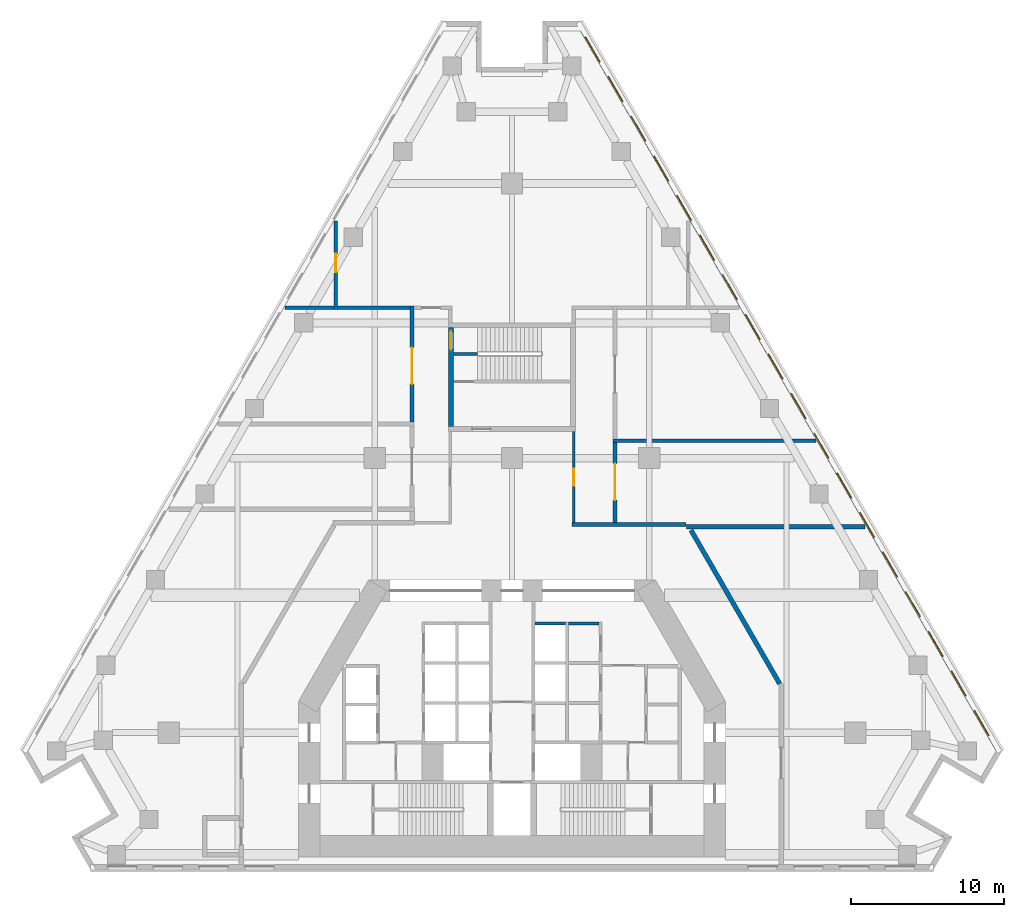
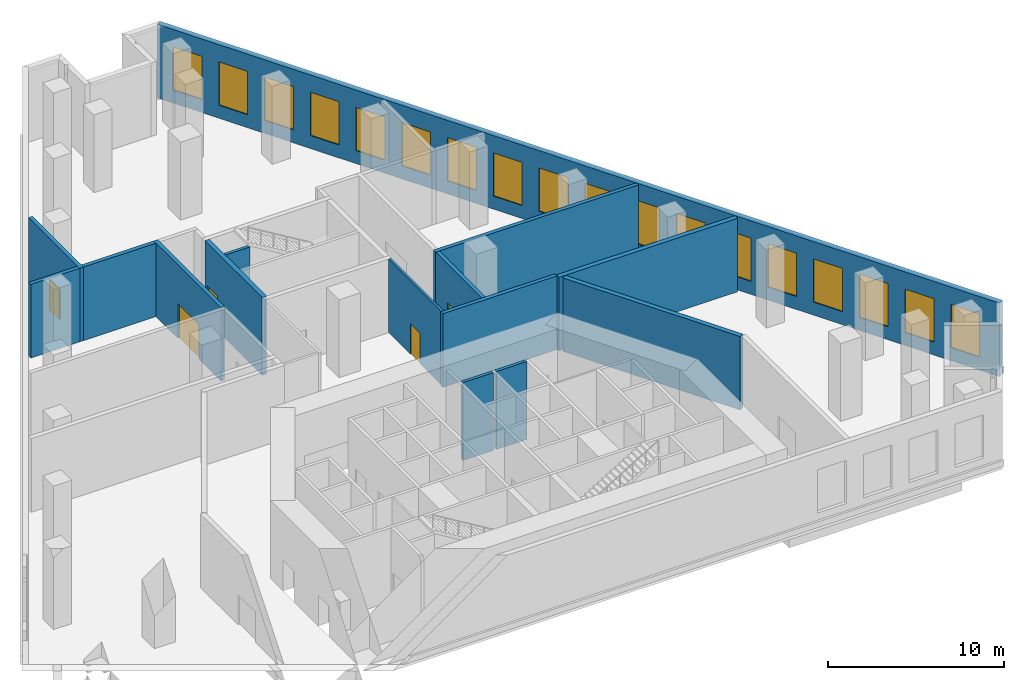
# One storey, part 8 of 10: 18 windows, 15 walls, 5 doors, 23 openings.
"""IFC4 building model written with IfcOpenShell, lengths in metres."""

from ifc_helpers import new_model, si_unit, direction, frame, frame_2d, origin, place, context, subcontext, project, spatial, rectangle, extrude, material, layer, layer_set, type_object, element, fill, save


model = new_model("IFC4")

# Units and contexts
model_context = context("Model", 3, precision=1e-05, world=origin(), true_north=direction((0.0, 1.0)))
body_context = subcontext(model_context, "Body", "Model", "MODEL_VIEW")
ifc_project = project(units=[si_unit("LENGTHUNIT", "METRE"), si_unit("AREAUNIT", "SQUARE_METRE"), si_unit("VOLUMEUNIT", "CUBIC_METRE"), si_unit("PLANEANGLEUNIT", "RADIAN"), si_unit("MASSUNIT", "GRAM", prefix="KILO")], contexts=[model_context])

# Site, building, storey
site_placement = place(None, origin())
site = spatial("IfcSite", under=ifc_project, at=site_placement, CompositionType="ELEMENT")
building_placement = place(site_placement, origin())
building = spatial("IfcBuilding", under=site, at=building_placement, Name="Fogline Exchange Tower", CompositionType="ELEMENT")
storey_placement = place(building_placement, frame((0.0, 0.0, 47.5)))
storey = spatial("IfcBuildingStorey", under=building, at=storey_placement, Name="L09", CompositionType="ELEMENT", Elevation=47.5)

# Walls
ifc_material_1 = material(Name="Concrete C40", Category="concrete")
ifc_layer_1 = layer(ifc_material_1, 0.199951171875)
ifc_layer_set_1 = layer_set([ifc_layer_1], Name="CW20B")
wall_type_1 = type_object("IfcWallType", Name="CW20B", PredefinedType="SOLIDWALL", material=ifc_layer_set_1)
wall_1_placement = place(storey_placement, frame((-3.85009765625, 33.83203125, 0.0), z_axis=(0.0, 0.0, 1.0), x_axis=(1.0, 0.0, 0.0)))
element("IfcWall", 1, at=wall_1_placement, inside=storey, type_object=wall_type_1, Name="Stair separation wall ST3", PredefinedType="SOLIDWALL", context=body_context, shape_type="SweptSolid", body=[
    extrude(rectangle(XDim=1.60009765625, YDim=0.199951171875, at=frame_2d((0.800048828125, 0.0))), origin(), (0.0, 0.0, 1.0), 5.10009765625),
])
ifc_layer_2 = layer(ifc_material_1, 0.199951171875)
ifc_layer_set_2 = layer_set([ifc_layer_2], Name="CW20S")
wall_type_2 = type_object("IfcWallType", Name="CW20S", PredefinedType="SOLIDWALL", material=ifc_layer_set_2)
for number, where, z_axis, x_axis, name in (
    (2, (3.699951171875, 16.14990234375, -0.300048828125), (0.0, 0.0, 1.0), (1.0, 0.0, 0.0), "Lift shaft wall"),
    (3, (1.5, 16.14990234375, -0.300048828125), (0.0, 0.0, 1.0), (1.0, 0.0, 0.0), "Lift shaft wall"),
):
    element("IfcWall", number, at=place(storey_placement, frame(where, z_axis=z_axis, x_axis=x_axis)), inside=storey, type_object=wall_type_2, Name=name, PredefinedType="SOLIDWALL", context=body_context, shape_type="SweptSolid", body=[
        extrude(rectangle(XDim=2.0, YDim=0.199951171875, at=frame_2d((1.0, 0.0))), origin(), (0.0, 0.0, 1.0), 5.400146484375),
    ])

# Wall, opening, door
ifc_layer_3 = layer(ifc_material_1, 0.300048828125)
ifc_layer_set_3 = layer_set([ifc_layer_3], Name="CW30")
wall_type_3 = type_object("IfcWallType", Name="CW30", PredefinedType="SOLIDWALL", material=ifc_layer_set_3)
wall_2_placement = place(storey_placement, frame((-4.0, 29.056884765625, -0.300048828125), z_axis=(0.0, 0.0, 1.0), x_axis=(0.0, 1.0, 0.0)))
wall_2 = element("IfcWall", 4, at=wall_2_placement, inside=storey, type_object=wall_type_3, Name="Stair enclosure wall ST3", PredefinedType="SOLIDWALL", context=body_context, shape_type="SweptSolid", body=[
    extrude(rectangle(XDim=6.5, YDim=0.300048828125, at=frame_2d((3.25, 0.0))), origin(), (0.0, 0.0, 1.0), 5.400146484375),
])
opening_1_placement = place(wall_2_placement, frame((5.050048828125, 0.0, 0.300048828125)))
opening_1 = element("IfcOpeningElement", 5, at=opening_1_placement, cuts=wall_2, Name="Opening L09-C026", PredefinedType="OPENING", context=body_context, shape_type="SweptSolid", body=[
    extrude(rectangle(XDim=1.199951171875, YDim=2.10009765625, at=frame_2d((0.60009765625, 1.050048828125))), frame((0.0, 0.16015625, 0.0), z_axis=(0.0, -1.0, 0.0), x_axis=(1.0, 0.0, 0.0)), (0.0, 0.0, 1.0), 0.320068359375),
])
ifc_material_2 = material(Name="Steel and timber fire door", Category="steel")
door_type_1 = type_object("IfcDoorType", Name="D-ST1", OperationType="SINGLE_SWING_LEFT", PredefinedType="DOOR", material=ifc_material_2)
door_1_placement = place(opening_1_placement, origin())
door_1 = element("IfcDoor", 6, at=door_1_placement, inside=storey, type_object=door_type_1, Name="Stair arrival door ST3", OperationType="SINGLE_SWING_RIGHT", OverallHeight=2.10009765625, OverallWidth=1.199951171875, PredefinedType="DOOR", context=body_context, shape_type="SweptSolid", body=[
    extrude(rectangle(XDim=1.199951171875, YDim=2.10009765625, at=frame_2d((0.60009765625, 1.050048828125))), frame((0.0, 0.02490234375, 0.0), z_axis=(0.0, -1.0, 0.0), x_axis=(1.0, 0.0, 0.0)), (0.0, 0.0, 1.0), 0.050048828125),
])
fill(opening_1, door_1)

# Wall, openings, windows
ifc_material_3 = material(Name="Brick masonry", Category="masonry")
ifc_layer_4 = layer(ifc_material_3, 0.340087890625)
ifc_layer_set_4 = layer_set([ifc_layer_4], Name="FW3")
wall_type_4 = type_object("IfcWallType", Name="FW3", PredefinedType="SOLIDWALL", material=ifc_layer_set_4)
wall_3_placement = place(storey_placement, frame((31.98046875, 7.709228515625, 0.0), z_axis=(0.0, 0.0, 1.0), x_axis=(-0.500000125387, 0.866025331392, 0.0)))
wall_3 = element("IfcWall", 7, at=wall_3_placement, inside=storey, type_object=wall_type_4, Name="Brick wall L09 E", PredefinedType="SOLIDWALL", context=body_context, shape_type="SweptSolid", body=[
    extrude(rectangle(XDim=55.25537109375, YDim=0.340087890625, at=frame_2d((27.627685546875, 0.0))), origin(), (0.0, 0.0, 1.0), 5.10009765625),
])
opening_2_placement = place(wall_3_placement, frame((1.313720703125, 0.0, 0.89990234375)))
opening_2 = element("IfcOpeningElement", 8, at=opening_2_placement, cuts=wall_3, Name="Opening W6", PredefinedType="OPENING", context=body_context, shape_type="SweptSolid", body=[
    extrude(rectangle(XDim=1.885009765625, YDim=3.0, at=frame_2d((0.9423828125, 1.5))), frame((0.0, 0.18017578125, 0.0), z_axis=(0.0, -1.0, 0.0), x_axis=(1.0, 0.0, 0.0)), (0.0, 0.0, 1.0), 0.360107421875),
])
opening_3_placement = place(wall_3_placement, frame((4.313720703125, 0.0, 0.89990234375)))
opening_3 = element("IfcOpeningElement", 9, at=opening_3_placement, cuts=wall_3, Name="Opening W6", PredefinedType="OPENING", context=body_context, shape_type="SweptSolid", body=[
    extrude(rectangle(XDim=1.885009765625, YDim=3.0, at=frame_2d((0.9423828125, 1.5))), frame((0.0, 0.18017578125, 0.0), z_axis=(0.0, -1.0, 0.0), x_axis=(1.0, 0.0, 0.0)), (0.0, 0.0, 1.0), 0.360107421875),
])
opening_4_placement = place(wall_3_placement, frame((7.313720703125, 0.0, 0.89990234375)))
opening_4 = element("IfcOpeningElement", 10, at=opening_4_placement, cuts=wall_3, Name="Opening W6", PredefinedType="OPENING", context=body_context, shape_type="SweptSolid", body=[
    extrude(rectangle(XDim=1.885009765625, YDim=3.0, at=frame_2d((0.9423828125, 1.5))), frame((0.0, 0.18017578125, 0.0), z_axis=(0.0, -1.0, 0.0), x_axis=(1.0, 0.0, 0.0)), (0.0, 0.0, 1.0), 0.360107421875),
])
opening_5_placement = place(wall_3_placement, frame((10.313720703125, 0.0, 0.89990234375)))
opening_5 = element("IfcOpeningElement", 11, at=opening_5_placement, cuts=wall_3, Name="Opening W6", PredefinedType="OPENING", context=body_context, shape_type="SweptSolid", body=[
    extrude(rectangle(XDim=1.885009765625, YDim=3.0, at=frame_2d((0.9423828125, 1.5))), frame((0.0, 0.18017578125, 0.0), z_axis=(0.0, -1.0, 0.0), x_axis=(1.0, 0.0, 0.0)), (0.0, 0.0, 1.0), 0.360107421875),
])
opening_6_placement = place(wall_3_placement, frame((13.313720703125, 0.0, 0.89990234375)))
opening_6 = element("IfcOpeningElement", 12, at=opening_6_placement, cuts=wall_3, Name="Opening W6", PredefinedType="OPENING", context=body_context, shape_type="SweptSolid", body=[
    extrude(rectangle(XDim=1.885009765625, YDim=3.0, at=frame_2d((0.9423828125, 1.5))), frame((0.0, 0.18017578125, 0.0), z_axis=(0.0, -1.0, 0.0), x_axis=(1.0, 0.0, 0.0)), (0.0, 0.0, 1.0), 0.360107421875),
])
opening_7_placement = place(wall_3_placement, frame((16.313720703125, 0.0, 0.89990234375)))
opening_7 = element("IfcOpeningElement", 13, at=opening_7_placement, cuts=wall_3, Name="Opening W6", PredefinedType="OPENING", context=body_context, shape_type="SweptSolid", body=[
    extrude(rectangle(XDim=1.885009765625, YDim=3.0, at=frame_2d((0.9423828125, 1.5))), frame((0.0, 0.18017578125, 0.0), z_axis=(0.0, -1.0, 0.0), x_axis=(1.0, 0.0, 0.0)), (0.0, 0.0, 1.0), 0.360107421875),
])
opening_8_placement = place(wall_3_placement, frame((19.313720703125, 0.0, 0.89990234375)))
opening_8 = element("IfcOpeningElement", 14, at=opening_8_placement, cuts=wall_3, Name="Opening W6", PredefinedType="OPENING", context=body_context, shape_type="SweptSolid", body=[
    extrude(rectangle(XDim=1.885009765625, YDim=3.0, at=frame_2d((0.9423828125, 1.5))), frame((0.0, 0.18017578125, 0.0), z_axis=(0.0, -1.0, 0.0), x_axis=(1.0, 0.0, 0.0)), (0.0, 0.0, 1.0), 0.360107421875),
])
opening_9_placement = place(wall_3_placement, frame((22.313720703125, 0.0, 0.89990234375)))
opening_9 = element("IfcOpeningElement", 15, at=opening_9_placement, cuts=wall_3, Name="Opening W6", PredefinedType="OPENING", context=body_context, shape_type="SweptSolid", body=[
    extrude(rectangle(XDim=1.885009765625, YDim=3.0, at=frame_2d((0.9423828125, 1.5))), frame((0.0, 0.18017578125, 0.0), z_axis=(0.0, -1.0, 0.0), x_axis=(1.0, 0.0, 0.0)), (0.0, 0.0, 1.0), 0.360107421875),
])
opening_10_placement = place(wall_3_placement, frame((25.313720703125, 0.0, 0.89990234375)))
opening_10 = element("IfcOpeningElement", 16, at=opening_10_placement, cuts=wall_3, Name="Opening W6", PredefinedType="OPENING", context=body_context, shape_type="SweptSolid", body=[
    extrude(rectangle(XDim=1.885009765625, YDim=3.0, at=frame_2d((0.9423828125, 1.5))), frame((0.0, 0.18017578125, 0.0), z_axis=(0.0, -1.0, 0.0), x_axis=(1.0, 0.0, 0.0)), (0.0, 0.0, 1.0), 0.360107421875),
])
opening_11_placement = place(wall_3_placement, frame((28.313720703125, 0.0, 0.89990234375)))
opening_11 = element("IfcOpeningElement", 17, at=opening_11_placement, cuts=wall_3, Name="Opening W6", PredefinedType="OPENING", context=body_context, shape_type="SweptSolid", body=[
    extrude(rectangle(XDim=1.885009765625, YDim=3.0, at=frame_2d((0.9423828125, 1.5))), frame((0.0, 0.18017578125, 0.0), z_axis=(0.0, -1.0, 0.0), x_axis=(1.0, 0.0, 0.0)), (0.0, 0.0, 1.0), 0.360107421875),
])
opening_12_placement = place(wall_3_placement, frame((31.313720703125, 0.0, 0.89990234375)))
opening_12 = element("IfcOpeningElement", 18, at=opening_12_placement, cuts=wall_3, Name="Opening W6", PredefinedType="OPENING", context=body_context, shape_type="SweptSolid", body=[
    extrude(rectangle(XDim=1.885009765625, YDim=3.0, at=frame_2d((0.9423828125, 1.5))), frame((0.0, 0.18017578125, 0.0), z_axis=(0.0, -1.0, 0.0), x_axis=(1.0, 0.0, 0.0)), (0.0, 0.0, 1.0), 0.360107421875),
])
opening_13_placement = place(wall_3_placement, frame((34.313720703125, 0.0, 0.89990234375)))
opening_13 = element("IfcOpeningElement", 19, at=opening_13_placement, cuts=wall_3, Name="Opening W6", PredefinedType="OPENING", context=body_context, shape_type="SweptSolid", body=[
    extrude(rectangle(XDim=1.885009765625, YDim=3.0, at=frame_2d((0.9423828125, 1.5))), frame((0.0, 0.18017578125, 0.0), z_axis=(0.0, -1.0, 0.0), x_axis=(1.0, 0.0, 0.0)), (0.0, 0.0, 1.0), 0.360107421875),
])
opening_14_placement = place(wall_3_placement, frame((37.313720703125, 0.0, 0.89990234375)))
opening_14 = element("IfcOpeningElement", 20, at=opening_14_placement, cuts=wall_3, Name="Opening W6", PredefinedType="OPENING", context=body_context, shape_type="SweptSolid", body=[
    extrude(rectangle(XDim=1.885009765625, YDim=3.0, at=frame_2d((0.9423828125, 1.5))), frame((0.0, 0.18017578125, 0.0), z_axis=(0.0, -1.0, 0.0), x_axis=(1.0, 0.0, 0.0)), (0.0, 0.0, 1.0), 0.360107421875),
])
opening_15_placement = place(wall_3_placement, frame((40.313720703125, 0.0, 0.89990234375)))
opening_15 = element("IfcOpeningElement", 21, at=opening_15_placement, cuts=wall_3, Name="Opening W6", PredefinedType="OPENING", context=body_context, shape_type="SweptSolid", body=[
    extrude(rectangle(XDim=1.885009765625, YDim=3.0, at=frame_2d((0.9423828125, 1.5))), frame((0.0, 0.18017578125, 0.0), z_axis=(0.0, -1.0, 0.0), x_axis=(1.0, 0.0, 0.0)), (0.0, 0.0, 1.0), 0.360107421875),
])
opening_16_placement = place(wall_3_placement, frame((43.313720703125, 0.0, 0.89990234375)))
opening_16 = element("IfcOpeningElement", 22, at=opening_16_placement, cuts=wall_3, Name="Opening W6", PredefinedType="OPENING", context=body_context, shape_type="SweptSolid", body=[
    extrude(rectangle(XDim=1.885009765625, YDim=3.0, at=frame_2d((0.9423828125, 1.5))), frame((0.0, 0.18017578125, 0.0), z_axis=(0.0, -1.0, 0.0), x_axis=(1.0, 0.0, 0.0)), (0.0, 0.0, 1.0), 0.360107421875),
])
opening_17_placement = place(wall_3_placement, frame((46.313720703125, 0.0, 0.89990234375)))
opening_17 = element("IfcOpeningElement", 23, at=opening_17_placement, cuts=wall_3, Name="Opening W6", PredefinedType="OPENING", context=body_context, shape_type="SweptSolid", body=[
    extrude(rectangle(XDim=1.885009765625, YDim=3.0, at=frame_2d((0.9423828125, 1.5))), frame((0.0, 0.18017578125, 0.0), z_axis=(0.0, -1.0, 0.0), x_axis=(1.0, 0.0, 0.0)), (0.0, 0.0, 1.0), 0.360107421875),
])
opening_18_placement = place(wall_3_placement, frame((49.313720703125, 0.0, 0.89990234375)))
opening_18 = element("IfcOpeningElement", 24, at=opening_18_placement, cuts=wall_3, Name="Opening W6", PredefinedType="OPENING", context=body_context, shape_type="SweptSolid", body=[
    extrude(rectangle(XDim=1.885009765625, YDim=3.0, at=frame_2d((0.9423828125, 1.5))), frame((0.0, 0.18017578125, 0.0), z_axis=(0.0, -1.0, 0.0), x_axis=(1.0, 0.0, 0.0)), (0.0, 0.0, 1.0), 0.360107421875),
])
opening_19_placement = place(wall_3_placement, frame((52.313720703125, 0.0, 0.89990234375)))
opening_19 = element("IfcOpeningElement", 25, at=opening_19_placement, cuts=wall_3, Name="Opening W6", PredefinedType="OPENING", context=body_context, shape_type="SweptSolid", body=[
    extrude(rectangle(XDim=1.885009765625, YDim=3.0, at=frame_2d((0.9423828125, 1.5))), frame((0.0, 0.18017578125, 0.0), z_axis=(0.0, -1.0, 0.0), x_axis=(1.0, 0.0, 0.0)), (0.0, 0.0, 1.0), 0.360107421875),
])
ifc_material_4 = material(Name="Aluminium louvre", Category="aluminium")
window_type = type_object("IfcWindowType", Name="W6", PartitioningType="SINGLE_PANEL", PredefinedType="WINDOW", material=ifc_material_4)
window_1_placement = place(opening_2_placement, origin())
window_1 = element("IfcWindow", 26, at=window_1_placement, inside=storey, type_object=window_type, Name="W6 W6", OverallHeight=3.0, OverallWidth=1.885009765625, PartitioningType="SINGLE_PANEL", PredefinedType="WINDOW", context=body_context, shape_type="SweptSolid", body=[
    extrude(rectangle(XDim=1.885009765625, YDim=3.0, at=frame_2d((0.9423828125, 1.5))), frame((0.0, 0.110107421875, 0.0), z_axis=(0.0, -1.0, 0.0), x_axis=(1.0, 0.0, 0.0)), (0.0, 0.0, 1.0), 0.06005859375),
])
fill(opening_2, window_1)
window_2_placement = place(opening_3_placement, origin())
window_2 = element("IfcWindow", 27, at=window_2_placement, inside=storey, type_object=window_type, Name="W6 W6", OverallHeight=3.0, OverallWidth=1.885009765625, PartitioningType="SINGLE_PANEL", PredefinedType="WINDOW", context=body_context, shape_type="SweptSolid", body=[
    extrude(rectangle(XDim=1.885009765625, YDim=3.0, at=frame_2d((0.9423828125, 1.5))), frame((0.0, 0.110107421875, 0.0), z_axis=(0.0, -1.0, 0.0), x_axis=(1.0, 0.0, 0.0)), (0.0, 0.0, 1.0), 0.06005859375),
])
fill(opening_3, window_2)
window_3_placement = place(opening_4_placement, origin())
window_3 = element("IfcWindow", 28, at=window_3_placement, inside=storey, type_object=window_type, Name="W6 W6", OverallHeight=3.0, OverallWidth=1.885009765625, PartitioningType="SINGLE_PANEL", PredefinedType="WINDOW", context=body_context, shape_type="SweptSolid", body=[
    extrude(rectangle(XDim=1.885009765625, YDim=3.0, at=frame_2d((0.9423828125, 1.5))), frame((0.0, 0.110107421875, 0.0), z_axis=(0.0, -1.0, 0.0), x_axis=(1.0, 0.0, 0.0)), (0.0, 0.0, 1.0), 0.06005859375),
])
fill(opening_4, window_3)
window_4_placement = place(opening_5_placement, origin())
window_4 = element("IfcWindow", 29, at=window_4_placement, inside=storey, type_object=window_type, Name="W6 W6", OverallHeight=3.0, OverallWidth=1.885009765625, PartitioningType="SINGLE_PANEL", PredefinedType="WINDOW", context=body_context, shape_type="SweptSolid", body=[
    extrude(rectangle(XDim=1.885009765625, YDim=3.0, at=frame_2d((0.9423828125, 1.5))), frame((0.0, 0.110107421875, 0.0), z_axis=(0.0, -1.0, 0.0), x_axis=(1.0, 0.0, 0.0)), (0.0, 0.0, 1.0), 0.06005859375),
])
fill(opening_5, window_4)
window_5_placement = place(opening_6_placement, origin())
window_5 = element("IfcWindow", 30, at=window_5_placement, inside=storey, type_object=window_type, Name="W6 W6", OverallHeight=3.0, OverallWidth=1.885009765625, PartitioningType="SINGLE_PANEL", PredefinedType="WINDOW", context=body_context, shape_type="SweptSolid", body=[
    extrude(rectangle(XDim=1.885009765625, YDim=3.0, at=frame_2d((0.9423828125, 1.5))), frame((0.0, 0.110107421875, 0.0), z_axis=(0.0, -1.0, 0.0), x_axis=(1.0, 0.0, 0.0)), (0.0, 0.0, 1.0), 0.06005859375),
])
fill(opening_6, window_5)
window_6_placement = place(opening_7_placement, origin())
window_6 = element("IfcWindow", 31, at=window_6_placement, inside=storey, type_object=window_type, Name="W6 W6", OverallHeight=3.0, OverallWidth=1.885009765625, PartitioningType="SINGLE_PANEL", PredefinedType="WINDOW", context=body_context, shape_type="SweptSolid", body=[
    extrude(rectangle(XDim=1.885009765625, YDim=3.0, at=frame_2d((0.9423828125, 1.5))), frame((0.0, 0.110107421875, 0.0), z_axis=(0.0, -1.0, 0.0), x_axis=(1.0, 0.0, 0.0)), (0.0, 0.0, 1.0), 0.06005859375),
])
fill(opening_7, window_6)
window_7_placement = place(opening_8_placement, origin())
window_7 = element("IfcWindow", 32, at=window_7_placement, inside=storey, type_object=window_type, Name="W6 W6", OverallHeight=3.0, OverallWidth=1.885009765625, PartitioningType="SINGLE_PANEL", PredefinedType="WINDOW", context=body_context, shape_type="SweptSolid", body=[
    extrude(rectangle(XDim=1.885009765625, YDim=3.0, at=frame_2d((0.9423828125, 1.5))), frame((0.0, 0.110107421875, 0.0), z_axis=(0.0, -1.0, 0.0), x_axis=(1.0, 0.0, 0.0)), (0.0, 0.0, 1.0), 0.06005859375),
])
fill(opening_8, window_7)
window_8_placement = place(opening_9_placement, origin())
window_8 = element("IfcWindow", 33, at=window_8_placement, inside=storey, type_object=window_type, Name="W6 W6", OverallHeight=3.0, OverallWidth=1.885009765625, PartitioningType="SINGLE_PANEL", PredefinedType="WINDOW", context=body_context, shape_type="SweptSolid", body=[
    extrude(rectangle(XDim=1.885009765625, YDim=3.0, at=frame_2d((0.9423828125, 1.5))), frame((0.0, 0.110107421875, 0.0), z_axis=(0.0, -1.0, 0.0), x_axis=(1.0, 0.0, 0.0)), (0.0, 0.0, 1.0), 0.06005859375),
])
fill(opening_9, window_8)
window_9_placement = place(opening_10_placement, origin())
window_9 = element("IfcWindow", 34, at=window_9_placement, inside=storey, type_object=window_type, Name="W6 W6", OverallHeight=3.0, OverallWidth=1.885009765625, PartitioningType="SINGLE_PANEL", PredefinedType="WINDOW", context=body_context, shape_type="SweptSolid", body=[
    extrude(rectangle(XDim=1.885009765625, YDim=3.0, at=frame_2d((0.9423828125, 1.5))), frame((0.0, 0.110107421875, 0.0), z_axis=(0.0, -1.0, 0.0), x_axis=(1.0, 0.0, 0.0)), (0.0, 0.0, 1.0), 0.06005859375),
])
fill(opening_10, window_9)
window_10_placement = place(opening_11_placement, origin())
window_10 = element("IfcWindow", 35, at=window_10_placement, inside=storey, type_object=window_type, Name="W6 W6", OverallHeight=3.0, OverallWidth=1.885009765625, PartitioningType="SINGLE_PANEL", PredefinedType="WINDOW", context=body_context, shape_type="SweptSolid", body=[
    extrude(rectangle(XDim=1.885009765625, YDim=3.0, at=frame_2d((0.9423828125, 1.5))), frame((0.0, 0.110107421875, 0.0), z_axis=(0.0, -1.0, 0.0), x_axis=(1.0, 0.0, 0.0)), (0.0, 0.0, 1.0), 0.06005859375),
])
fill(opening_11, window_10)
window_11_placement = place(opening_12_placement, origin())
window_11 = element("IfcWindow", 36, at=window_11_placement, inside=storey, type_object=window_type, Name="W6 W6", OverallHeight=3.0, OverallWidth=1.885009765625, PartitioningType="SINGLE_PANEL", PredefinedType="WINDOW", context=body_context, shape_type="SweptSolid", body=[
    extrude(rectangle(XDim=1.885009765625, YDim=3.0, at=frame_2d((0.9423828125, 1.5))), frame((0.0, 0.110107421875, 0.0), z_axis=(0.0, -1.0, 0.0), x_axis=(1.0, 0.0, 0.0)), (0.0, 0.0, 1.0), 0.06005859375),
])
fill(opening_12, window_11)
window_12_placement = place(opening_13_placement, origin())
window_12 = element("IfcWindow", 37, at=window_12_placement, inside=storey, type_object=window_type, Name="W6 W6", OverallHeight=3.0, OverallWidth=1.885009765625, PartitioningType="SINGLE_PANEL", PredefinedType="WINDOW", context=body_context, shape_type="SweptSolid", body=[
    extrude(rectangle(XDim=1.885009765625, YDim=3.0, at=frame_2d((0.9423828125, 1.5))), frame((0.0, 0.110107421875, 0.0), z_axis=(0.0, -1.0, 0.0), x_axis=(1.0, 0.0, 0.0)), (0.0, 0.0, 1.0), 0.06005859375),
])
fill(opening_13, window_12)
window_13_placement = place(opening_14_placement, origin())
window_13 = element("IfcWindow", 38, at=window_13_placement, inside=storey, type_object=window_type, Name="W6 W6", OverallHeight=3.0, OverallWidth=1.885009765625, PartitioningType="SINGLE_PANEL", PredefinedType="WINDOW", context=body_context, shape_type="SweptSolid", body=[
    extrude(rectangle(XDim=1.885009765625, YDim=3.0, at=frame_2d((0.9423828125, 1.5))), frame((0.0, 0.110107421875, 0.0), z_axis=(0.0, -1.0, 0.0), x_axis=(1.0, 0.0, 0.0)), (0.0, 0.0, 1.0), 0.06005859375),
])
fill(opening_14, window_13)
window_14_placement = place(opening_15_placement, origin())
window_14 = element("IfcWindow", 39, at=window_14_placement, inside=storey, type_object=window_type, Name="W6 W6", OverallHeight=3.0, OverallWidth=1.885009765625, PartitioningType="SINGLE_PANEL", PredefinedType="WINDOW", context=body_context, shape_type="SweptSolid", body=[
    extrude(rectangle(XDim=1.885009765625, YDim=3.0, at=frame_2d((0.9423828125, 1.5))), frame((0.0, 0.110107421875, 0.0), z_axis=(0.0, -1.0, 0.0), x_axis=(1.0, 0.0, 0.0)), (0.0, 0.0, 1.0), 0.06005859375),
])
fill(opening_15, window_14)
window_15_placement = place(opening_16_placement, origin())
window_15 = element("IfcWindow", 40, at=window_15_placement, inside=storey, type_object=window_type, Name="W6 W6", OverallHeight=3.0, OverallWidth=1.885009765625, PartitioningType="SINGLE_PANEL", PredefinedType="WINDOW", context=body_context, shape_type="SweptSolid", body=[
    extrude(rectangle(XDim=1.885009765625, YDim=3.0, at=frame_2d((0.9423828125, 1.5))), frame((0.0, 0.110107421875, 0.0), z_axis=(0.0, -1.0, 0.0), x_axis=(1.0, 0.0, 0.0)), (0.0, 0.0, 1.0), 0.06005859375),
])
fill(opening_16, window_15)
window_16_placement = place(opening_17_placement, origin())
window_16 = element("IfcWindow", 41, at=window_16_placement, inside=storey, type_object=window_type, Name="W6 W6", OverallHeight=3.0, OverallWidth=1.885009765625, PartitioningType="SINGLE_PANEL", PredefinedType="WINDOW", context=body_context, shape_type="SweptSolid", body=[
    extrude(rectangle(XDim=1.885009765625, YDim=3.0, at=frame_2d((0.9423828125, 1.5))), frame((0.0, 0.110107421875, 0.0), z_axis=(0.0, -1.0, 0.0), x_axis=(1.0, 0.0, 0.0)), (0.0, 0.0, 1.0), 0.06005859375),
])
fill(opening_17, window_16)
window_17_placement = place(opening_18_placement, origin())
window_17 = element("IfcWindow", 42, at=window_17_placement, inside=storey, type_object=window_type, Name="W6 W6", OverallHeight=3.0, OverallWidth=1.885009765625, PartitioningType="SINGLE_PANEL", PredefinedType="WINDOW", context=body_context, shape_type="SweptSolid", body=[
    extrude(rectangle(XDim=1.885009765625, YDim=3.0, at=frame_2d((0.9423828125, 1.5))), frame((0.0, 0.110107421875, 0.0), z_axis=(0.0, -1.0, 0.0), x_axis=(1.0, 0.0, 0.0)), (0.0, 0.0, 1.0), 0.06005859375),
])
fill(opening_18, window_17)
window_18_placement = place(opening_19_placement, origin())
window_18 = element("IfcWindow", 43, at=window_18_placement, inside=storey, type_object=window_type, Name="W6 W6", OverallHeight=3.0, OverallWidth=1.885009765625, PartitioningType="SINGLE_PANEL", PredefinedType="WINDOW", context=body_context, shape_type="SweptSolid", body=[
    extrude(rectangle(XDim=1.885009765625, YDim=3.0, at=frame_2d((0.9423828125, 1.5))), frame((0.0, 0.110107421875, 0.0), z_axis=(0.0, -1.0, 0.0), x_axis=(1.0, 0.0, 0.0)), (0.0, 0.0, 1.0), 0.06005859375),
])
fill(opening_19, window_18)

# Wall, opening, door
ifc_material_5 = material(Name="Plasterboard on steel stud", Category="steel")
ifc_layer_5 = layer(ifc_material_5, 0.14990234375)
ifc_layer_set_5 = layer_set([ifc_layer_5], Name="PP1")
wall_type_5 = type_object("IfcWallType", Name="PP1", PredefinedType="PARTITIONING", material=ifc_layer_set_5)
wall_4_placement = place(storey_placement, frame((4.050048828125, 28.757080078125, 0.0), z_axis=(0.0, 0.0, 1.0), x_axis=(0.0, -1.0, 0.0)))
wall_4 = element("IfcWall", 44, at=wall_4_placement, inside=storey, type_object=wall_type_5, Name="PP1 partition", PredefinedType="PARTITIONING", context=body_context, shape_type="SweptSolid", body=[
    extrude(rectangle(XDim=5.982177734375, YDim=0.14990234375, at=frame_2d((2.9912109375, 0.0))), origin(), (0.0, 0.0, 1.0), 5.10009765625),
])
opening_20_placement = place(wall_4_placement, frame((2.464111328125, 0.0, 0.0)))
opening_20 = element("IfcOpeningElement", 45, at=opening_20_placement, cuts=wall_4, Name="Opening L09-D003", PredefinedType="OPENING", context=body_context, shape_type="SweptSolid", body=[
    extrude(rectangle(XDim=1.10009765625, YDim=2.10009765625, at=frame_2d((0.550048828125, 1.050048828125))), frame((0.0, 0.0849609375, 0.0), z_axis=(0.0, -1.0, 0.0), x_axis=(1.0, 0.0, 0.0)), (0.0, 0.0, 1.0), 0.169921875),
])
ifc_material_6 = material(Name="Steel Q235B", Category="steel")
door_type_2 = type_object("IfcDoorType", Name="PD5", OperationType="SINGLE_SWING_LEFT", PredefinedType="DOOR", material=ifc_material_6)
door_2_placement = place(opening_20_placement, origin())
door_2 = element("IfcDoor", 46, at=door_2_placement, inside=storey, type_object=door_type_2, Name="L09-D003", OperationType="SINGLE_SWING_RIGHT", OverallHeight=2.10009765625, OverallWidth=1.10009765625, PredefinedType="DOOR", context=body_context, shape_type="SweptSolid", body=[
    extrude(rectangle(XDim=1.10009765625, YDim=2.10009765625, at=frame_2d((0.550048828125, 1.050048828125))), frame((0.0, 0.02490234375, 0.0), z_axis=(0.0, -1.0, 0.0), x_axis=(1.0, 0.0, 0.0)), (0.0, 0.0, 1.0), 0.050048828125),
])
fill(opening_20, door_2)

# Wall
ifc_layer_6 = layer(ifc_material_1, 0.25)
ifc_layer_set_6 = layer_set([ifc_layer_6], Name="PP3")
wall_type_6 = type_object("IfcWallType", Name="PP3", PredefinedType="SOLIDWALL", material=ifc_layer_set_6)
wall_5_placement = place(storey_placement, frame((6.625, 28.137939453125, 0.0), z_axis=(0.0, 0.0, 1.0), x_axis=(1.0, 0.0, 0.0)))
element("IfcWall", 47, at=wall_5_placement, inside=storey, type_object=wall_type_6, Name="PP3 partition", PredefinedType="SOLIDWALL", context=body_context, shape_type="SweptSolid", body=[
    extrude(rectangle(XDim=13.29248046875, YDim=0.25, at=frame_2d((6.646240234375, 0.0))), origin(), (0.0, 0.0, 1.0), 5.10009765625),
])

# Wall, opening, door
wall_6_placement = place(storey_placement, frame((-6.550048828125, 29.367919921875, 0.0), z_axis=(0.0, 0.0, 1.0), x_axis=(0.0, 1.0, 0.0)))
wall_6 = element("IfcWall", 48, at=wall_6_placement, inside=storey, type_object=wall_type_6, Name="PP3 partition", PredefinedType="SOLIDWALL", context=body_context, shape_type="SweptSolid", body=[
    extrude(rectangle(XDim=7.613037109375, YDim=0.25, at=frame_2d((3.806640625, 0.0))), origin(), (0.0, 0.0, 1.0), 5.10009765625),
])
opening_21_placement = place(wall_6_placement, frame((2.4814453125, 0.0, 0.0)))
opening_21 = element("IfcOpeningElement", 49, at=opening_21_placement, cuts=wall_6, Name="Opening L09-D006", PredefinedType="OPENING", context=body_context, shape_type="SweptSolid", body=[
    extrude(rectangle(XDim=2.39990234375, YDim=2.39990234375, at=frame_2d((1.199951171875, 1.199951171875))), frame((0.0, 0.135009765625, 0.0), z_axis=(0.0, -1.0, 0.0), x_axis=(1.0, 0.0, 0.0)), (0.0, 0.0, 1.0), 0.27001953125),
])
door_type_3 = type_object("IfcDoorType", Name="PD9", OperationType="DOUBLE_DOOR_SINGLE_SWING", PredefinedType="DOOR", material=ifc_material_6)
door_3_placement = place(opening_21_placement, origin())
door_3 = element("IfcDoor", 50, at=door_3_placement, inside=storey, type_object=door_type_3, Name="L09-D006", OperationType="DOUBLE_DOOR_SINGLE_SWING", OverallHeight=2.39990234375, OverallWidth=2.39990234375, PredefinedType="DOOR", context=body_context, shape_type="SweptSolid", body=[
    extrude(rectangle(XDim=2.39990234375, YDim=2.39990234375, at=frame_2d((1.199951171875, 1.199951171875))), frame((0.0, 0.02490234375, 0.0), z_axis=(0.0, -1.0, 0.0), x_axis=(1.0, 0.0, 0.0)), (0.0, 0.0, 1.0), 0.050048828125),
])
fill(opening_21, door_3)

# Wall
wall_7_placement = place(storey_placement, frame((3.925048828125, 22.64990234375, 0.0), z_axis=(0.0, 0.0, 1.0), x_axis=(1.0, 0.0, 0.0)))
element("IfcWall", 51, at=wall_7_placement, inside=storey, type_object=wall_type_6, Name="PP3 partition", PredefinedType="SOLIDWALL", context=body_context, shape_type="SweptSolid", body=[
    extrude(rectangle(XDim=7.474853515625, YDim=0.25, at=frame_2d((3.7373046875, 0.0))), origin(), (0.0, 0.0, 1.0), 5.10009765625),
])

# Wall, opening, door
wall_8_placement = place(storey_placement, frame((-11.550048828125, 36.73193359375, 0.0), z_axis=(0.0, 0.0, 1.0), x_axis=(0.0, 1.0, 0.0)))
wall_8 = element("IfcWall", 52, at=wall_8_placement, inside=storey, type_object=wall_type_6, Name="PP3 partition", PredefinedType="SOLIDWALL", context=body_context, shape_type="SweptSolid", body=[
    extrude(rectangle(XDim=5.807373046875, YDim=0.25, at=frame_2d((2.90380859375, 0.0))), origin(), (0.0, 0.0, 1.0), 5.10009765625),
])
opening_22_placement = place(wall_8_placement, frame((2.454345703125, 0.0, 0.0)))
opening_22 = element("IfcOpeningElement", 53, at=opening_22_placement, cuts=wall_8, Name="Opening L09-D009", PredefinedType="OPENING", context=body_context, shape_type="SweptSolid", body=[
    extrude(rectangle(XDim=1.199951171875, YDim=2.10009765625, at=frame_2d((0.60009765625, 1.050048828125))), frame((0.0, 0.135009765625, 0.0), z_axis=(0.0, -1.0, 0.0), x_axis=(1.0, 0.0, 0.0)), (0.0, 0.0, 1.0), 0.27001953125),
])
door_type_4 = type_object("IfcDoorType", Name="PD7", OperationType="SINGLE_SWING_LEFT", PredefinedType="DOOR", material=ifc_material_6)
door_4_placement = place(opening_22_placement, origin())
door_4 = element("IfcDoor", 54, at=door_4_placement, inside=storey, type_object=door_type_4, Name="L09-D009", OperationType="SINGLE_SWING_RIGHT", OverallHeight=2.10009765625, OverallWidth=1.199951171875, PredefinedType="DOOR", context=body_context, shape_type="SweptSolid", body=[
    extrude(rectangle(XDim=1.199951171875, YDim=2.10009765625, at=frame_2d((0.60009765625, 1.050048828125))), frame((0.0, 0.02490234375, 0.0), z_axis=(0.0, -1.0, 0.0), x_axis=(1.0, 0.0, 0.0)), (0.0, 0.0, 1.0), 0.050048828125),
])
fill(opening_22, door_4)

wall_9_placement = place(storey_placement, frame((6.75, 28.012939453125, 0.0), z_axis=(0.0, 0.0, 1.0), x_axis=(0.0, -1.0, 0.0)))
wall_9 = element("IfcWall", 55, at=wall_9_placement, inside=storey, type_object=wall_type_6, Name="PP3 partition", PredefinedType="SOLIDWALL", context=body_context, shape_type="SweptSolid", body=[
    extrude(rectangle(XDim=5.238037109375, YDim=0.25, at=frame_2d((2.619140625, 0.0))), origin(), (0.0, 0.0, 1.0), 5.10009765625),
])
opening_23_placement = place(wall_9_placement, frame((1.369384765625, 0.0, 0.0)))
opening_23 = element("IfcOpeningElement", 56, at=opening_23_placement, cuts=wall_9, Name="Opening L09-D007", PredefinedType="OPENING", context=body_context, shape_type="SweptSolid", body=[
    extrude(rectangle(XDim=2.39990234375, YDim=2.39990234375, at=frame_2d((1.199951171875, 1.199951171875))), frame((0.0, 0.135009765625, 0.0), z_axis=(0.0, -1.0, 0.0), x_axis=(1.0, 0.0, 0.0)), (0.0, 0.0, 1.0), 0.27001953125),
])
door_5_placement = place(opening_23_placement, origin())
door_5 = element("IfcDoor", 57, at=door_5_placement, inside=storey, type_object=door_type_3, Name="L09-D007", OperationType="DOUBLE_DOOR_SINGLE_SWING", OverallHeight=2.39990234375, OverallWidth=2.39990234375, PredefinedType="DOOR", context=body_context, shape_type="SweptSolid", body=[
    extrude(rectangle(XDim=2.39990234375, YDim=2.39990234375, at=frame_2d((1.199951171875, 1.199951171875))), frame((0.0, 0.02490234375, 0.0), z_axis=(0.0, -1.0, 0.0), x_axis=(1.0, 0.0, 0.0)), (0.0, 0.0, 1.0), 0.050048828125),
])
fill(opening_23, door_5)

# Walls
wall_10_placement = place(storey_placement, frame((-6.675048828125, 36.85595703125, 0.0), z_axis=(0.0, 0.0, 1.0), x_axis=(-1.0, 0.0, 0.0)))
element("IfcWall", 58, at=wall_10_placement, inside=storey, type_object=wall_type_6, Name="PP3 partition", PredefinedType="SOLIDWALL", context=body_context, shape_type="SweptSolid", body=[
    extrude(rectangle(XDim=4.75, YDim=0.25, at=frame_2d((2.375, 0.0))), origin(), (0.0, 0.0, 1.0), 5.10009765625),
])
wall_11_placement = place(storey_placement, frame((-14.88330078125, 36.85693359375, 0.0), z_axis=(0.0, 0.0, 1.0), x_axis=(1.0, 0.0, 0.0)))
element("IfcWall", 59, at=wall_11_placement, inside=storey, type_object=wall_type_6, Name="PP3 partition", PredefinedType="SOLIDWALL", context=body_context, shape_type="SweptSolid", body=[
    extrude(rectangle(XDim=3.208251953125, YDim=0.25, at=frame_2d((1.60400390625, 0.0))), origin(), (0.0, 0.0, 1.0), 5.10009765625),
])
ifc_layer_7 = layer(ifc_material_1, 0.300048828125)
ifc_layer_set_7 = layer_set([ifc_layer_7], Name="PP4")
wall_type_7 = type_object("IfcWallType", Name="PP4", PredefinedType="SOLIDWALL", material=ifc_layer_set_7)
wall_12_placement = place(storey_placement, frame((11.45556640625, 22.5, 0.0), z_axis=(0.0, 0.0, 1.0), x_axis=(1.0, 0.0, 0.0)))
element("IfcWall", 60, at=wall_12_placement, inside=storey, type_object=wall_type_7, Name="PP4 partition", PredefinedType="SOLIDWALL", context=body_context, shape_type="SweptSolid", body=[
    extrude(rectangle(XDim=11.702392578125, YDim=0.300048828125, at=frame_2d((5.85107421875, 0.0))), origin(), (0.0, 0.0, 1.0), 5.10009765625),
])
wall_13_placement = place(storey_placement, frame((11.735595703125, 22.27490234375, 0.0), z_axis=(0.0, 0.0, 1.0), x_axis=(0.499992738267, -0.866029596307, 0.0)))
element("IfcWall", 61, at=wall_13_placement, inside=storey, type_object=wall_type_7, Name="PP4 partition", PredefinedType="SOLIDWALL", context=body_context, shape_type="SweptSolid", body=[
    extrude(rectangle(XDim=11.624267578125, YDim=0.300048828125, at=frame_2d((5.81201171875, 0.0))), origin(), (0.0, 0.0, 1.0), 5.10009765625),
])

save(model, "model.ifc")
